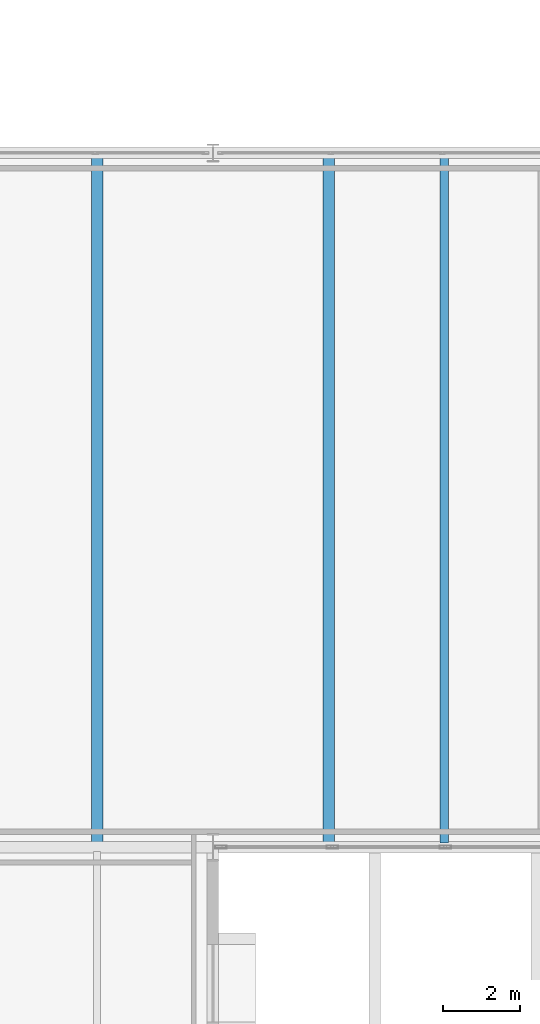
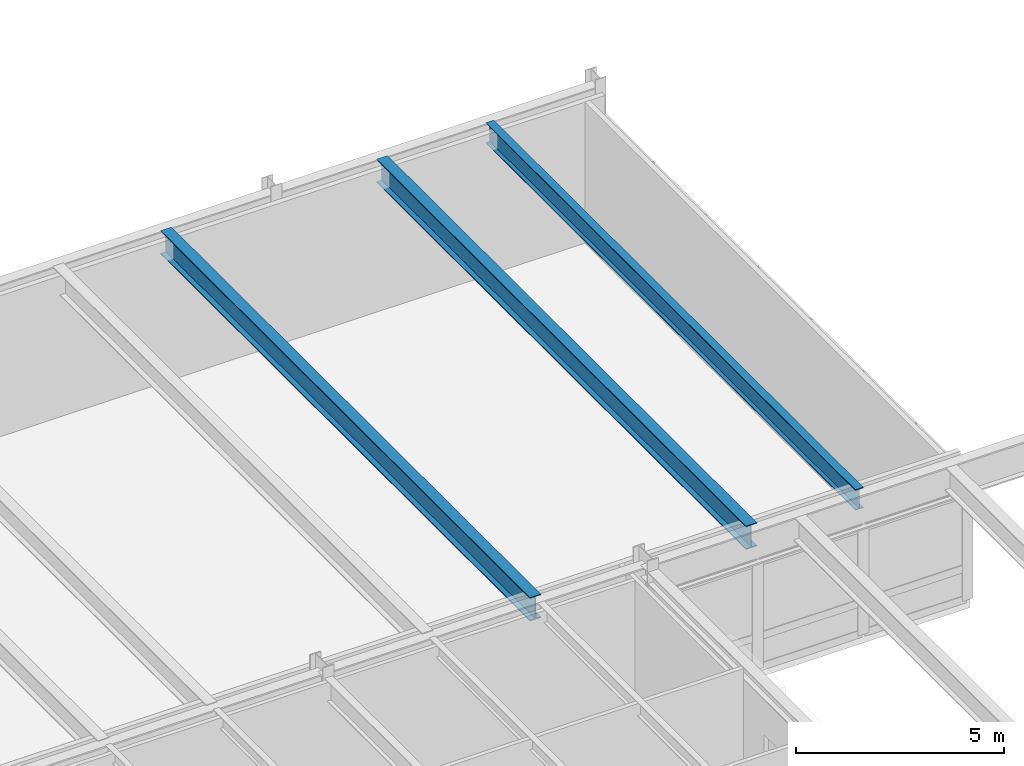
# One storey, part 46 of 115: 3 beams.
"""IFC4 building model written with IfcOpenShell, lengths in metres."""

import ifcopenshell
import ifcopenshell.guid

model = None  # the IFC model being written
_history = None  # IfcOwnerHistory: only IFC2X3 demands one
_inside = {}  # id of a spatial element -> (the spatial element, [elements in it])
_under = {}  # id of a project, library or spatial element -> (it, [spatial elements below it])
_declared = {}  # id of a project -> (the project, [libraries it declares])
_typed = {}  # id of a type object -> (the type object, [elements of that type])
_made_of = {}  # id of a material, layer set ... -> (it, [elements and type objects made of it])


def new_model(schema):
    """Start an empty IFC model of exactly this schema.

    Asked for "IFC4X3", IfcOpenShell would pick the latest addendum, in which some entities
    have other attributes; the version numbers below select the first issue.
    IFC2X3 requires an IfcOwnerHistory on every rooted entity: one is made here for all.
    """
    global model, _history
    if schema == "IFC4X3":
        model = ifcopenshell.file(schema_version=(4, 3, 0, 0))
    else:
        model = ifcopenshell.file(schema=schema)
    _inside.clear()
    _under.clear()
    _declared.clear()
    _typed.clear()
    _made_of.clear()
    _history = None
    if model.schema == "IFC2X3":
        org = make("IfcOrganization", Name="unknown")
        user = make(
            "IfcPersonAndOrganization",
            ThePerson=make("IfcPerson", FamilyName="unknown"),
            TheOrganization=org,
        )
        app = make(
            "IfcApplication",
            ApplicationDeveloper=org,
            Version="unknown",
            ApplicationFullName="unknown",
            ApplicationIdentifier="unknown",
        )
        _history = make(
            "IfcOwnerHistory",
            OwningUser=user,
            OwningApplication=app,
            ChangeAction="ADDED",
            CreationDate=0,
        )
    return model


def make(cls, **values):
    """One entity of the class cls with the attributes given. An attribute that is None is left unset."""
    return model.create_entity(
        cls, **{name: value for name, value in values.items() if value is not None}
    )


def rooted(cls, **values):
    """An entity with a GlobalId (a new one), such as an element, a storey or a relation."""
    return make(cls, GlobalId=ifcopenshell.guid.new(), OwnerHistory=_history, **values)


def si_unit(unit_type, name, prefix=None):
    """IfcSIUnit, for example si_unit("LENGTHUNIT", "METRE", prefix="MILLI")."""
    return make("IfcSIUnit", UnitType=unit_type, Prefix=prefix, Name=name)


def assignment(units):
    """IfcUnitAssignment: the units of a project."""
    return None if units is None else make("IfcUnitAssignment", Units=units)


def point(xyz):
    """IfcCartesianPoint."""
    return None if xyz is None else make("IfcCartesianPoint", Coordinates=xyz)


def direction(xyz):
    """IfcDirection."""
    return None if xyz is None else make("IfcDirection", DirectionRatios=xyz)


def frame(location, z_axis=None, x_axis=None):
    """IfcAxis2Placement3D, a coordinate frame: its origin and axes. An axis left out is left unset."""
    return make(
        "IfcAxis2Placement3D",
        Location=point(location),
        Axis=direction(z_axis),
        RefDirection=direction(x_axis),
    )


def frame_2d(location, x_axis=None):
    """IfcAxis2Placement2D, a coordinate frame in the plane: its origin and x axis."""
    return make(
        "IfcAxis2Placement2D", Location=point(location), RefDirection=direction(x_axis)
    )


def origin():
    """The frame at (0, 0, 0) with its axes left unset."""
    return frame((0.0, 0.0, 0.0))


def origin_2d():
    """The frame at (0, 0) in the plane with its x axis left unset."""
    return frame_2d((0.0, 0.0))


def place(relative_to, where):
    """IfcLocalPlacement: puts the frame where relative to a parent placement (None: the world)."""
    return make(
        "IfcLocalPlacement", PlacementRelTo=relative_to, RelativePlacement=where
    )


def context(
    kind, dimensions, precision=None, world=None, true_north=None, identifier=None
):
    """IfcGeometricRepresentationContext, for example the 3D "Model" context."""
    return make(
        "IfcGeometricRepresentationContext",
        ContextIdentifier=identifier,
        ContextType=kind,
        CoordinateSpaceDimension=dimensions,
        Precision=precision,
        WorldCoordinateSystem=world,
        TrueNorth=true_north,
    )


def subcontext(parent, identifier, kind, view, scale=None):
    """IfcGeometricRepresentationSubContext, for example "Body" below "Model"."""
    return make(
        "IfcGeometricRepresentationSubContext",
        ContextIdentifier=identifier,
        ContextType=kind,
        ParentContext=parent,
        TargetScale=scale,
        TargetView=view,
    )


def project(units=None, contexts=None):
    """IfcProject with its units and contexts."""
    return rooted(
        "IfcProject",
        Name="project",
        RepresentationContexts=contexts,
        UnitsInContext=assignment(units),
    )


def spatial(cls, under=None, at=None, **own):
    """A site, building, storey or space (cls), placed at a placement, below another one or the project."""
    s = rooted(cls, ObjectPlacement=at, **own)
    if under is not None:
        _under.setdefault(under.id(), (under, []))[1].append(s)
    return s


def profile(cls, at=None, kind="AREA", **sizes):
    """A parametric profile (cls). Its sizes go by their IFC names, for example OverallWidth=200.0."""
    return make(cls, ProfileType=kind, Position=at, **sizes)


def i_section(**sizes):
    """IfcIShapeProfileDef."""
    return profile("IfcIShapeProfileDef", **sizes)


def extrude(swept, where, along, depth):
    """IfcExtrudedAreaSolid: the profile swept, set in the frame where, extruded along a direction by depth."""
    return make(
        "IfcExtrudedAreaSolid",
        SweptArea=swept,
        Position=where,
        ExtrudedDirection=direction(along),
        Depth=depth,
    )


def shape(context_of_items, identifier, shape_type, items):
    """IfcShapeRepresentation: the items that make up one representation, for example the "Body"."""
    return make(
        "IfcShapeRepresentation",
        ContextOfItems=context_of_items,
        RepresentationIdentifier=identifier,
        RepresentationType=shape_type,
        Items=items,
    )


def material(Name=None, Category=None):
    """IfcMaterial."""
    return make("IfcMaterial", Name=Name, Category=Category)


def material_profile(
    of_material, cross_section, Name=None, Category=None, Priority=None
):
    """IfcMaterialProfile: a cross section and its material."""
    return make(
        "IfcMaterialProfile",
        Name=Name,
        Material=of_material,
        Profile=cross_section,
        Priority=Priority,
        Category=Category,
    )


def profile_set(profiles, Name=None, composite=None):
    """IfcMaterialProfileSet."""
    return make(
        "IfcMaterialProfileSet",
        Name=Name,
        MaterialProfiles=profiles,
        CompositeProfile=composite,
    )


def made_of(thing, what):
    """Note that an element or type object is made of a material, layer set ...; save() writes the relation."""
    if what is not None:
        _made_of.setdefault(what.id(), (what, []))[1].append(thing)
    return thing


def type_object(cls, material=None, **own):
    """A type object (cls), such as IfcWallType, which elements share."""
    return made_of(rooted(cls, **own), material)


def element(
    cls,
    number,
    at=None,
    inside=None,
    cuts=None,
    type_object=None,
    material=None,
    context=None,
    identifier="Body",
    shape_type=None,
    held_by="IfcProductDefinitionShape",
    body=None,
    shapes=None,
    **own,
):
    """One element of the class cls, such as IfcWall. Its Tag is "e" and its number.

    at: its placement. inside: the storey or other place that contains it. cuts: it is an
    opening in that element (IfcRelVoidsElement). A single representation is given by context,
    identifier, shape_type and body (its items); several are given by shapes. held_by: the class
    of the entity that holds the representations. save() writes the other relations.
    """
    e = rooted(cls, Tag="e%d" % number, ObjectPlacement=at, **own)
    if body is not None:
        shapes = [shape(context, identifier, shape_type, body)]
    if shapes is not None:
        e.Representation = make(held_by, Representations=shapes)
    if inside is not None:
        _inside.setdefault(inside.id(), (inside, []))[1].append(e)
    if cuts is not None:
        rooted(
            "IfcRelVoidsElement", RelatingBuildingElement=cuts, RelatedOpeningElement=e
        )
    if type_object is not None:
        _typed.setdefault(type_object.id(), (type_object, []))[1].append(e)
    return made_of(e, material)


def aggregate(whole, parts):
    """IfcRelAggregates: a whole, such as a stair, and the parts it consists of."""
    return rooted("IfcRelAggregates", RelatingObject=whole, RelatedObjects=parts)


def save(model, path):
    """Write the relations noted so far, then the file.

    IfcRelAggregates (storeys below a building ...), IfcRelContainedInSpatialStructure (elements
    in a storey), IfcRelDefinesByType, IfcRelAssociatesMaterial and IfcRelDeclares: one each for
    every whole, place, type object, material and project.
    """
    for whole, parts in _under.values():
        aggregate(whole, parts)
    for where, things in _inside.values():
        rooted(
            "IfcRelContainedInSpatialStructure",
            RelatedElements=things,
            RelatingStructure=where,
        )
    for kind, things in _typed.values():
        rooted("IfcRelDefinesByType", RelatedObjects=things, RelatingType=kind)
    for what, things in _made_of.values():
        rooted("IfcRelAssociatesMaterial", RelatedObjects=things, RelatingMaterial=what)
    for by, libraries in _declared.values():
        rooted("IfcRelDeclares", RelatingContext=by, RelatedDefinitions=libraries)
    model.write(path)


model = new_model("IFC4")

# Units and contexts
model_context = context("Model", 3, precision=1e-05, world=origin(), true_north=direction((0.0, 1.0)))
body_context = subcontext(model_context, "Body", "Model", "MODEL_VIEW")
ifc_project = project(units=[si_unit("LENGTHUNIT", "METRE"), si_unit("AREAUNIT", "SQUARE_METRE"), si_unit("VOLUMEUNIT", "CUBIC_METRE"), si_unit("PLANEANGLEUNIT", "RADIAN"), si_unit("MASSUNIT", "GRAM", prefix="KILO")], contexts=[model_context])

# Site, building, storey
site_placement = place(None, origin())
site = spatial("IfcSite", under=ifc_project, at=site_placement, CompositionType="ELEMENT")
building_placement = place(site_placement, origin())
building = spatial("IfcBuilding", under=site, at=building_placement, Name="Montelvaro Courts of Justice", CompositionType="ELEMENT")
storey_placement = place(building_placement, frame((0.0, 0.0, 9.89990234375)))
storey = spatial("IfcBuildingStorey", under=building, at=storey_placement, Name="L02", CompositionType="ELEMENT", Elevation=9.89990234375)

# Beams
ifc_material = material(Name="Steel S355", Category="steel")
ifc_material_profile_1 = material_profile(ifc_material, i_section(OverallWidth=0.300048828125, OverallDepth=0.68994140625, WebThickness=0.014404296875, FlangeThickness=0.027099609375, at=origin_2d()), Name="HEA 700")
ifc_profile_set_1 = profile_set([ifc_material_profile_1], Name="Steel S355")
beam_type_1 = type_object("IfcBeamType", Name="Beam_HEA700", PredefinedType="USERDEFINED", material=ifc_profile_set_1)
for number, where, z_axis, x_axis, name in (
    (1, (132.0, 24.110107421875, 3.85498046875), (0.0, 1.0, 0.0), (-1.0, 0.0, 0.0), "Beam B-23 L02"),
    (2, (138.0, 24.110107421875, 3.85498046875), (0.0, 1.0, 0.0), (-1.0, 0.0, 0.0), "Beam B-23 L02"),
):
    element("IfcBeam", number, at=place(storey_placement, frame(where, z_axis=z_axis, x_axis=x_axis)), inside=storey, type_object=beam_type_1, Name=name, ObjectType="GIRDER", PredefinedType="USERDEFINED", context=body_context, shape_type="SweptSolid", body=[
        extrude(i_section(OverallWidth=0.300048828125, OverallDepth=0.68994140625, WebThickness=0.014404296875, FlangeThickness=0.027099609375, at=origin_2d()), origin(), (0.0, 0.0, 1.0), 17.77978515625),
    ])
ifc_material_profile_2 = material_profile(ifc_material, i_section(OverallWidth=0.219970703125, OverallDepth=0.60009765625, WebThickness=0.011962890625, FlangeThickness=0.01904296875, at=origin_2d()), Name="IPE 600")
ifc_profile_set_2 = profile_set([ifc_material_profile_2], Name="Steel S355")
beam_type_2 = type_object("IfcBeamType", Name="Beam_IPE600", PredefinedType="USERDEFINED", material=ifc_profile_set_2)
beam_placement = place(storey_placement, frame((141.0, 24.110107421875, 3.900146484375), z_axis=(0.0, 1.0, 0.0), x_axis=(-1.0, 0.0, 0.0)))
element("IfcBeam", 3, at=beam_placement, inside=storey, type_object=beam_type_2, Name="Beam B-12 L02", ObjectType="GIRDER", PredefinedType="USERDEFINED", context=body_context, shape_type="SweptSolid", body=[
    extrude(i_section(OverallWidth=0.219970703125, OverallDepth=0.60009765625, WebThickness=0.011962890625, FlangeThickness=0.01904296875, at=origin_2d()), origin(), (0.0, 0.0, 1.0), 17.77978515625),
])

save(model, "model.ifc")
